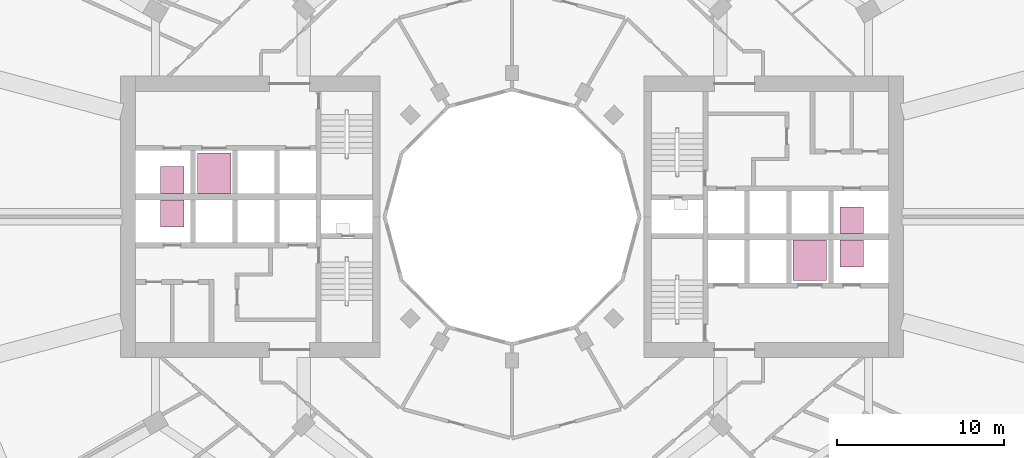
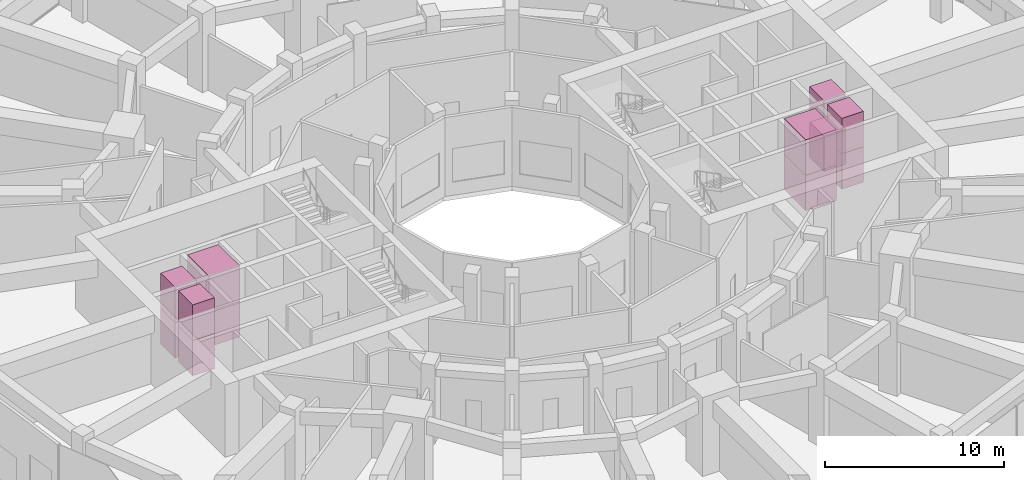
# One storey, part 26 of 26: 12 transport elements.
"""IFC4 building model written with IfcOpenShell, lengths in metres."""

from ifc_helpers import new_model, si_unit, direction, frame, origin, origin_2d, place, context, subcontext, project, spatial, rectangle, extrude, material, type_object, element, save


model = new_model("IFC4")

# Units and contexts
model_context = context("Model", 3, precision=1e-05, world=origin(), true_north=direction((0.0, 1.0)))
body_context = subcontext(model_context, "Body", "Model", "MODEL_VIEW")
ifc_project = project(units=[si_unit("LENGTHUNIT", "METRE"), si_unit("AREAUNIT", "SQUARE_METRE"), si_unit("VOLUMEUNIT", "CUBIC_METRE"), si_unit("PLANEANGLEUNIT", "RADIAN"), si_unit("MASSUNIT", "GRAM", prefix="KILO")], contexts=[model_context])

# Site, building, storey
site_placement = place(None, origin())
site = spatial("IfcSite", under=ifc_project, at=site_placement, CompositionType="ELEMENT")
building_placement = place(site_placement, origin())
building = spatial("IfcBuilding", under=site, at=building_placement, Name="Torre Brocal", CompositionType="ELEMENT")
storey_placement = place(building_placement, frame((0.0, 0.0, 12.39990234375)))
storey = spatial("IfcBuildingStorey", under=building, at=storey_placement, Name="L02", CompositionType="ELEMENT", Elevation=12.39990234375)

# Transport elements
ifc_material_1 = material(Name="Stainless steel AISI 316", Category="steel")
transport_element_type_1 = type_object("IfcTransportElementType", Name="PASSENGER LIFT 2000", PredefinedType="ELEVATOR", material=ifc_material_1)
for number, where, z_axis, x_axis, name in (
    (1, (97.800048828125, 72.39990234375, 0.0), (0.0, 0.0, 1.0), (1.0, 0.0, 0.0), "LOW RISE LIFT E-LR2"),
    (2, (97.800048828125, 72.39990234375, 2.42529296875), (0.0, 0.0, 1.0), (1.0, 0.0, 0.0), "LOW RISE LIFT E-LR2"),
    (3, (62.199951171875, 77.60009765625, 0.0), (0.0, 0.0, 1.0), (1.0, 0.0, 0.0), "LOW RISE LIFT W-LR2"),
    (4, (62.199951171875, 77.60009765625, 2.42529296875), (0.0, 0.0, 1.0), (1.0, 0.0, 0.0), "LOW RISE LIFT W-LR2"),
):
    element("IfcTransportElement", number, at=place(storey_placement, frame(where, z_axis=z_axis, x_axis=x_axis)), inside=storey, type_object=transport_element_type_1, Name=name, PredefinedType="ELEVATOR", context=body_context, shape_type="SweptSolid", body=[
        extrude(rectangle(XDim=2.0, YDim=2.39990234375, at=origin_2d()), origin(), (0.0, 0.0, 1.0), 2.425048828125),
    ])
ifc_material_2 = material(Name="Stainless steel AISI 316", Category="steel")
transport_element_type_2 = type_object("IfcTransportElementType", Name="PASSENGER LIFT 900", PredefinedType="ELEVATOR", material=ifc_material_2)
for number, where, z_axis, x_axis, name in (
    (5, (100.300048828125, 74.800048828125, 0.0), (0.0, 0.0, 1.0), (1.0, 0.0, 0.0), "LOW RISE LIFT E-LR1"),
    (6, (100.300048828125, 74.800048828125, 2.42529296875), (0.0, 0.0, 1.0), (1.0, 0.0, 0.0), "LOW RISE LIFT E-LR1"),
    (7, (100.300048828125, 72.800048828125, 0.0), (0.0, 0.0, 1.0), (1.0, 0.0, 0.0), "LOW RISE LIFT E-LR3"),
    (8, (100.300048828125, 72.800048828125, 2.42529296875), (0.0, 0.0, 1.0), (1.0, 0.0, 0.0), "LOW RISE LIFT E-LR3"),
    (9, (59.699951171875, 75.199951171875, 0.0), (0.0, 0.0, 1.0), (1.0, 0.0, 0.0), "LOW RISE LIFT W-LR1"),
    (10, (59.699951171875, 75.199951171875, 2.42529296875), (0.0, 0.0, 1.0), (1.0, 0.0, 0.0), "LOW RISE LIFT W-LR1"),
    (11, (59.699951171875, 77.199951171875, 0.0), (0.0, 0.0, 1.0), (1.0, 0.0, 0.0), "LOW RISE LIFT W-LR3"),
    (12, (59.699951171875, 77.199951171875, 2.42529296875), (0.0, 0.0, 1.0), (1.0, 0.0, 0.0), "LOW RISE LIFT W-LR3"),
):
    element("IfcTransportElement", number, at=place(storey_placement, frame(where, z_axis=z_axis, x_axis=x_axis)), inside=storey, type_object=transport_element_type_2, Name=name, PredefinedType="ELEVATOR", context=body_context, shape_type="SweptSolid", body=[
        extrude(rectangle(XDim=1.39990234375, YDim=1.60009765625, at=origin_2d()), origin(), (0.0, 0.0, 1.0), 2.425048828125),
    ])

save(model, "model.ifc")
